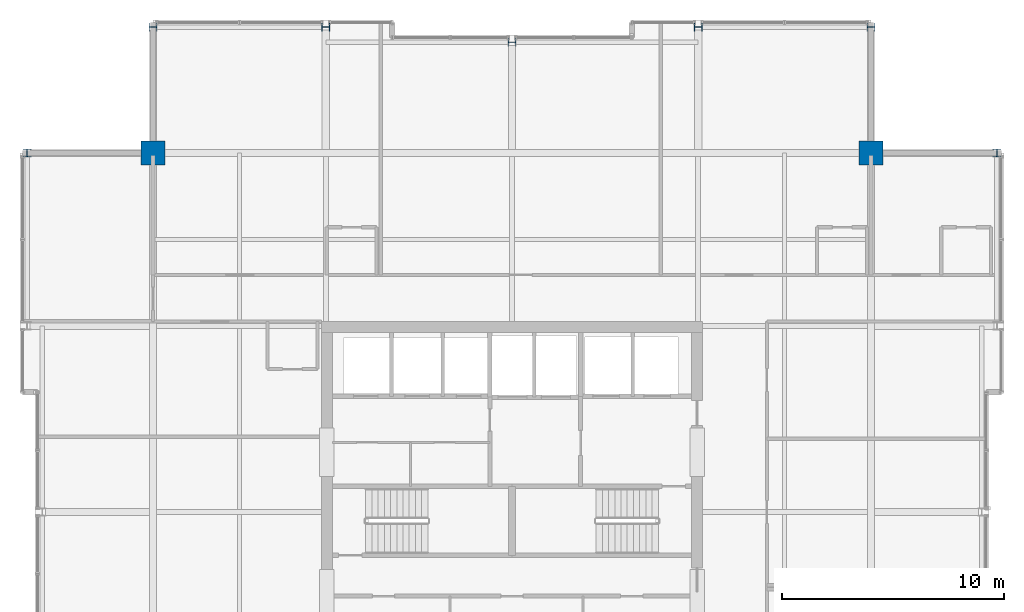
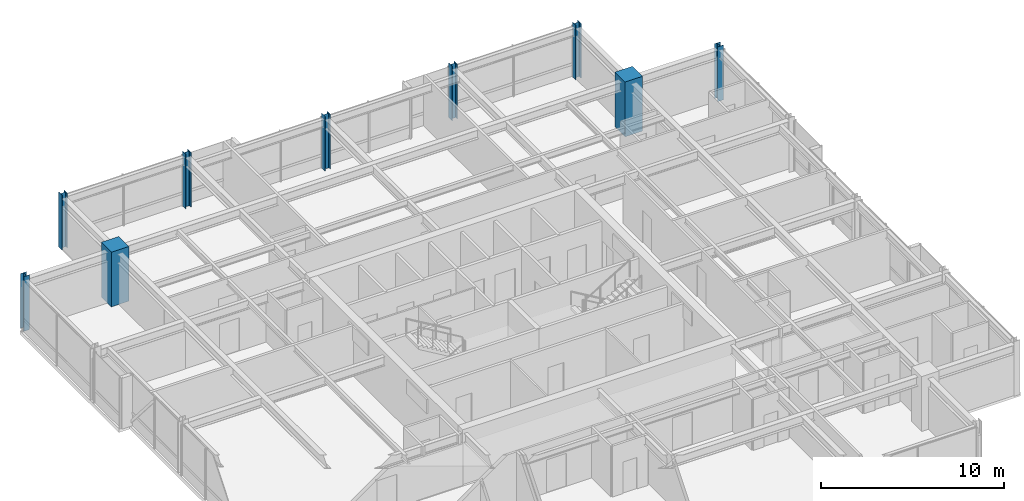
# One storey, part 3 of 34: 9 columns.
"""IFC4 building model written with IfcOpenShell, lengths in metres."""

from ifc_helpers import new_model, si_unit, direction, frame, origin, origin_2d, place, context, subcontext, project, spatial, rectangle, i_section, extrude, material, material_profile, profile_set, type_object, element, save


model = new_model("IFC4")

# Units and contexts
model_context = context("Model", 3, precision=1e-05, world=origin(), true_north=direction((0.0, 1.0)))
body_context = subcontext(model_context, "Body", "Model", "MODEL_VIEW")
ifc_project = project(units=[si_unit("LENGTHUNIT", "METRE"), si_unit("AREAUNIT", "SQUARE_METRE"), si_unit("VOLUMEUNIT", "CUBIC_METRE"), si_unit("PLANEANGLEUNIT", "RADIAN"), si_unit("MASSUNIT", "GRAM", prefix="KILO")], contexts=[model_context])

# Site, building, storey
site_placement = place(None, origin())
site = spatial("IfcSite", under=ifc_project, at=site_placement, CompositionType="ELEMENT")
building_placement = place(site_placement, origin())
building = spatial("IfcBuilding", under=site, at=building_placement, Name="Drelvath Grand Hotel", CompositionType="ELEMENT")
storey_placement = place(building_placement, frame((0.0, 0.0, 286.89990234375)))
storey = spatial("IfcBuildingStorey", under=building, at=storey_placement, Name="L75", CompositionType="ELEMENT", Elevation=286.89990234375)

# Columns
ifc_material_1 = material(Name="Concrete f'c 55 MPa", Category="concrete")
ifc_material_profile_1 = material_profile(ifc_material_1, rectangle(XDim=1.10009765625, YDim=1.10009765625, at=origin_2d()), Name="MC1100X1100")
ifc_profile_set_1 = profile_set([ifc_material_profile_1], Name="Concrete f'c 55 MPa")
column_type_1 = type_object("IfcColumnType", Name="Composite Mega Column MC1100X1100", PredefinedType="COLUMN", material=ifc_profile_set_1)
for number, where, z_axis, x_axis, name in (
    (1, (-16.199951171875, 43.199951171875, 0.0), (0.0, 0.0, 1.0), (1.0, 0.0, 0.0), "L75 Composite Mega Column MC-NW"),
    (2, (16.199951171875, 43.199951171875, 0.0), (0.0, 0.0, 1.0), (1.0, 0.0, 0.0), "L75 Composite Mega Column MC-NE"),
):
    element("IfcColumn", number, at=place(storey_placement, frame(where, z_axis=z_axis, x_axis=x_axis)), inside=storey, type_object=column_type_1, Name=name, PredefinedType="COLUMN", context=body_context, shape_type="SweptSolid", body=[
        extrude(rectangle(XDim=1.10009765625, YDim=1.10009765625, at=origin_2d()), origin(), (0.0, 0.0, 1.0), 3.650146484375),
    ])
ifc_material_2 = material(Name="Steel ASTM A913 Gr 65", Category="steel")
ifc_material_profile_2 = material_profile(ifc_material_2, i_section(OverallWidth=0.368896484375, OverallDepth=0.356201171875, WebThickness=0.01123046875, FlangeThickness=0.01806640625, FilletRadius=0.02490234375, at=origin_2d()), Name="W14X90")
ifc_profile_set_2 = profile_set([ifc_material_profile_2], Name="Steel ASTM A913 Gr 65")
column_type_2 = type_object("IfcColumnType", Name="Perimeter Steel Column W14X90", PredefinedType="COLUMN", material=ifc_profile_set_2)
for number, where, z_axis, x_axis, name in (
    (3, (-21.8798828125, 43.199951171875, 0.0), (0.0, 0.0, 1.0), (1.0, 0.0, 0.0), "L75 Structural Column TCW-G"),
    (4, (21.8798828125, 43.199951171875, 0.0), (0.0, 0.0, 1.0), (1.0, 0.0, 0.0), "L75 Structural Column TCE-G"),
    (5, (-16.199951171875, 48.8798828125, 0.0), (0.0, 0.0, 1.0), (0.0, 1.0, 0.0), "L75 Structural Column TCN-3"),
    (6, (-8.39990234375, 48.8798828125, 0.0), (0.0, 0.0, 1.0), (0.0, 1.0, 0.0), "L75 Structural Column TCN-4"),
    (7, (0.0, 48.199951171875, 0.0), (0.0, 0.0, 1.0), (0.0, 1.0, 0.0), "L75 Structural Column TCN-5"),
    (8, (8.39990234375, 48.8798828125, 0.0), (0.0, 0.0, 1.0), (0.0, 1.0, 0.0), "L75 Structural Column TCN-6"),
    (9, (16.199951171875, 48.8798828125, 0.0), (0.0, 0.0, 1.0), (0.0, 1.0, 0.0), "L75 Structural Column TCN-7"),
):
    element("IfcColumn", number, at=place(storey_placement, frame(where, z_axis=z_axis, x_axis=x_axis)), inside=storey, type_object=column_type_2, Name=name, PredefinedType="COLUMN", context=body_context, shape_type="SweptSolid", body=[
        extrude(i_section(OverallWidth=0.368896484375, OverallDepth=0.356201171875, WebThickness=0.01123046875, FlangeThickness=0.01806640625, FilletRadius=0.02490234375, at=origin_2d()), origin(), (0.0, 0.0, 1.0), 3.647216796875),
    ])

save(model, "model.ifc")
